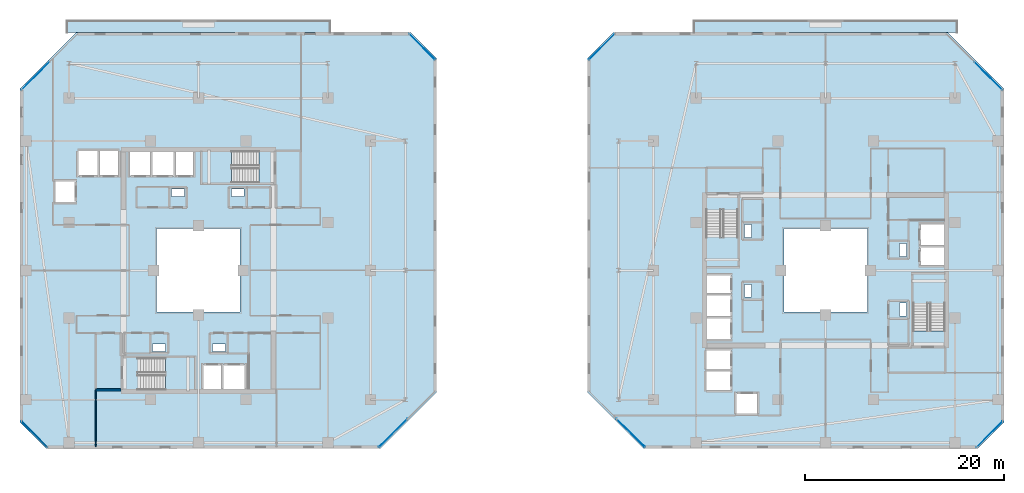
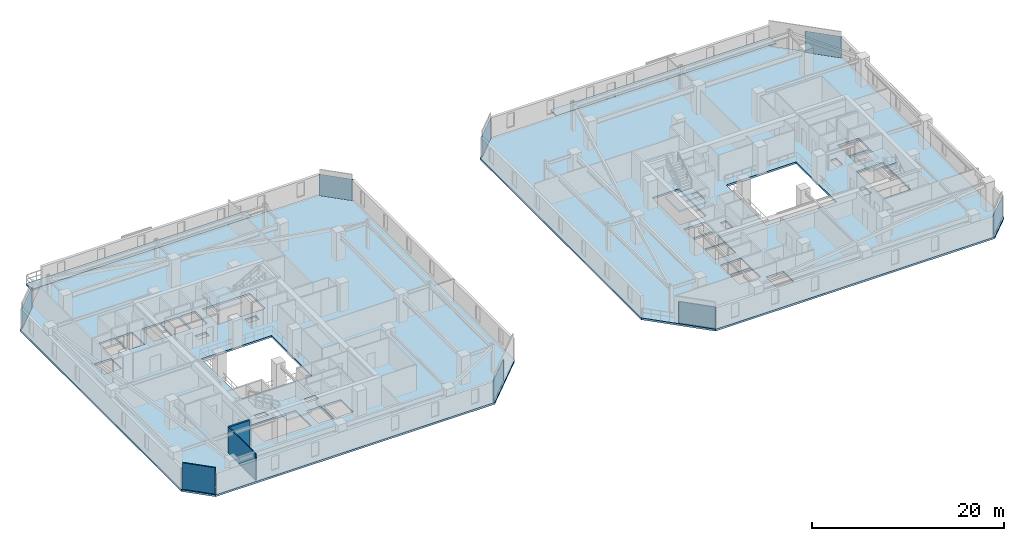
# One storey, part 18 of 32: 8 plates, 8 slabs, 3 walls, 12 elements without a shape of their own.
"""IFC4 building model written with IfcOpenShell, lengths in metres."""

from ifc_helpers import new_model, si_unit, direction, frame, frame_2d, origin, origin_2d, place, context, subcontext, project, spatial, polyline, rectangle, outline, extrude, material, layer, layer_set, type_object, element, aggregate, save


model = new_model("IFC4")

# Units and contexts
model_context = context("Model", 3, precision=1e-05, world=origin(), true_north=direction((0.0, 1.0)))
body_context = subcontext(model_context, "Body", "Model", "MODEL_VIEW")
ifc_project = project(units=[si_unit("LENGTHUNIT", "METRE"), si_unit("AREAUNIT", "SQUARE_METRE"), si_unit("VOLUMEUNIT", "CUBIC_METRE"), si_unit("PLANEANGLEUNIT", "RADIAN"), si_unit("MASSUNIT", "GRAM", prefix="KILO")], contexts=[model_context])

# Site, building, storey
site_placement = place(None, origin())
site = spatial("IfcSite", under=ifc_project, at=site_placement, CompositionType="ELEMENT")
building_placement = place(site_placement, origin())
building = spatial("IfcBuilding", under=site, at=building_placement, Name="Thornwick Lancets Civic Towers", CompositionType="ELEMENT")
storey_placement = place(building_placement, frame((0.0, 0.0, 182.10009765625)))
storey = spatial("IfcBuildingStorey", under=building, at=storey_placement, Name="L48", CompositionType="ELEMENT", Elevation=182.10009765625)

# Curtain wall, plate
ifc_material_1 = material(Name="Mid-zone chamfered-corner unitised glass curtain wall", Category="glass")
curtain_wall_type = type_object("IfcCurtainWallType", Name="CW_SYS_04", PredefinedType="NOTDEFINED", material=ifc_material_1)
curtain_wall_1_placement = place(storey_placement, origin())
curtain_wall_1 = element("IfcCurtainWall", 1, at=curtain_wall_1_placement, inside=storey, type_object=curtain_wall_type, Name="L48 Curtain Wall CW-L48-A-E1", PredefinedType="NOTDEFINED")
ifc_material_2 = material(Name="Low-e double glazing clear glass", Category="glass")
ifc_layer_1 = layer(ifc_material_2, 0.035888671875, Name="Low-e double glazing clear glass")
ifc_layer_set_1 = layer_set([ifc_layer_1], Name="Low-e double glazing clear glass")
plate_type = type_object("IfcPlateType", Name="CW_PNL_GLASS", PredefinedType="CURTAIN_PANEL", material=ifc_layer_set_1)
plate_1_placement = place(storey_placement, frame((45.0576171875, 10.655029296875, 0.0), z_axis=(0.0, 0.0, 1.0), x_axis=(0.707106781187, 0.707106781187, 0.0)))
plate_1 = element("IfcPlate", 2, at=plate_1_placement, type_object=plate_type, Name="CW-L48-A-E1 Panel 0", PredefinedType="CURTAIN_PANEL", context=body_context, shape_type="SweptSolid", body=[
    extrude(rectangle(XDim=3.9833984375, YDim=0.035888671875, at=origin_2d()), origin(), (0.0, 0.0, 1.0), 2.699951171875),
])
aggregate(curtain_wall_1, [plate_1])

curtain_wall_2_placement = place(storey_placement, origin())
curtain_wall_2 = element("IfcCurtainWall", 3, at=curtain_wall_2_placement, inside=storey, type_object=curtain_wall_type, Name="L48 Curtain Wall CW-L48-A-E3", PredefinedType="NOTDEFINED")
plate_2_placement = place(storey_placement, frame((47.972900390625, 49.472900390625, 0.0), z_axis=(0.0, 0.0, 1.0), x_axis=(-0.707106781187, 0.707106781187, 0.0)))
plate_2 = element("IfcPlate", 4, at=plate_2_placement, type_object=plate_type, Name="CW-L48-A-E3 Panel 0", PredefinedType="CURTAIN_PANEL", context=body_context, shape_type="SweptSolid", body=[
    extrude(rectangle(XDim=3.649169921875, YDim=0.035888671875, at=origin_2d()), origin(), (0.0, 0.0, 1.0), 2.699951171875),
])
aggregate(curtain_wall_2, [plate_2])

curtain_wall_3_placement = place(storey_placement, origin())
curtain_wall_3 = element("IfcCurtainWall", 5, at=curtain_wall_3_placement, inside=storey, type_object=curtain_wall_type, Name="L48 Curtain Wall CW-L48-A-E5", PredefinedType="NOTDEFINED")
plate_3_placement = place(storey_placement, frame((9.155029296875, 46.5576171875, 0.0), z_axis=(0.0, 0.0, 1.0), x_axis=(-0.707106781187, -0.707106781187, 0.0)))
plate_3 = element("IfcPlate", 6, at=plate_3_placement, type_object=plate_type, Name="CW-L48-A-E5 Panel 0", PredefinedType="CURTAIN_PANEL", context=body_context, shape_type="SweptSolid", body=[
    extrude(rectangle(XDim=3.9833984375, YDim=0.035888671875, at=origin_2d()), origin(), (0.0, 0.0, 1.0), 2.699951171875),
])
aggregate(curtain_wall_3, [plate_3])

curtain_wall_4_placement = place(storey_placement, origin())
curtain_wall_4 = element("IfcCurtainWall", 7, at=curtain_wall_4_placement, inside=storey, type_object=curtain_wall_type, Name="L48 Curtain Wall CW-L48-A-E7", PredefinedType="NOTDEFINED")
plate_4_placement = place(storey_placement, frame((9.027099609375, 10.527099609375, 0.0), z_axis=(0.0, 0.0, 1.0), x_axis=(0.707106781187, -0.707106781187, 0.0)))
plate_4 = element("IfcPlate", 8, at=plate_4_placement, type_object=plate_type, Name="CW-L48-A-E7 Panel 0", PredefinedType="CURTAIN_PANEL", context=body_context, shape_type="SweptSolid", body=[
    extrude(rectangle(XDim=3.649169921875, YDim=0.035888671875, at=origin_2d()), origin(), (0.0, 0.0, 1.0), 2.699951171875),
])
aggregate(curtain_wall_4, [plate_4])

curtain_wall_5_placement = place(storey_placement, origin())
curtain_wall_5 = element("IfcCurtainWall", 9, at=curtain_wall_5_placement, inside=storey, type_object=curtain_wall_type, Name="L48 Curtain Wall CW-L48-B-E1", PredefinedType="NOTDEFINED")
plate_5_placement = place(storey_placement, frame((104.972900390625, 10.527099609375, 0.0), z_axis=(0.0, 0.0, 1.0), x_axis=(0.707106781187, 0.707106781187, 0.0)))
plate_5 = element("IfcPlate", 10, at=plate_5_placement, type_object=plate_type, Name="CW-L48-B-E1 Panel 0", PredefinedType="CURTAIN_PANEL", context=body_context, shape_type="SweptSolid", body=[
    extrude(rectangle(XDim=3.649169921875, YDim=0.035888671875, at=origin_2d()), origin(), (0.0, 0.0, 1.0), 2.699951171875),
])
aggregate(curtain_wall_5, [plate_5])

curtain_wall_6_placement = place(storey_placement, origin())
curtain_wall_6 = element("IfcCurtainWall", 11, at=curtain_wall_6_placement, inside=storey, type_object=curtain_wall_type, Name="L48 Curtain Wall CW-L48-B-E3", PredefinedType="NOTDEFINED")
plate_6_placement = place(storey_placement, frame((104.844970703125, 46.5576171875, 0.0), z_axis=(0.0, 0.0, 1.0), x_axis=(-0.707106781187, 0.707106781187, 0.0)))
plate_6 = element("IfcPlate", 12, at=plate_6_placement, type_object=plate_type, Name="CW-L48-B-E3 Panel 0", PredefinedType="CURTAIN_PANEL", context=body_context, shape_type="SweptSolid", body=[
    extrude(rectangle(XDim=3.9833984375, YDim=0.035888671875, at=origin_2d()), origin(), (0.0, 0.0, 1.0), 2.699951171875),
])
aggregate(curtain_wall_6, [plate_6])

curtain_wall_7_placement = place(storey_placement, origin())
curtain_wall_7 = element("IfcCurtainWall", 13, at=curtain_wall_7_placement, inside=storey, type_object=curtain_wall_type, Name="L48 Curtain Wall CW-L48-B-E5", PredefinedType="NOTDEFINED")
plate_7_placement = place(storey_placement, frame((66.027099609375, 49.472900390625, 0.0), z_axis=(0.0, 0.0, 1.0), x_axis=(-0.707106781187, -0.707106781187, 0.0)))
plate_7 = element("IfcPlate", 14, at=plate_7_placement, type_object=plate_type, Name="CW-L48-B-E5 Panel 0", PredefinedType="CURTAIN_PANEL", context=body_context, shape_type="SweptSolid", body=[
    extrude(rectangle(XDim=3.649169921875, YDim=0.035888671875, at=origin_2d()), origin(), (0.0, 0.0, 1.0), 2.699951171875),
])
aggregate(curtain_wall_7, [plate_7])

curtain_wall_8_placement = place(storey_placement, origin())
curtain_wall_8 = element("IfcCurtainWall", 15, at=curtain_wall_8_placement, inside=storey, type_object=curtain_wall_type, Name="L48 Curtain Wall CW-L48-B-E7", PredefinedType="NOTDEFINED")
plate_8_placement = place(storey_placement, frame((68.9423828125, 10.655029296875, 0.0), z_axis=(0.0, 0.0, 1.0), x_axis=(0.707106781187, -0.707106781187, 0.0)))
plate_8 = element("IfcPlate", 16, at=plate_8_placement, type_object=plate_type, Name="CW-L48-B-E7 Panel 0", PredefinedType="CURTAIN_PANEL", context=body_context, shape_type="SweptSolid", body=[
    extrude(rectangle(XDim=3.9833984375, YDim=0.035888671875, at=origin_2d()), origin(), (0.0, 0.0, 1.0), 2.699951171875),
])
aggregate(curtain_wall_8, [plate_8])

# Slabs
ifc_material_3 = material(Name="Post-tensioned concrete C40/50", Category="concrete")
ifc_layer_2 = layer(ifc_material_3, 0.199951171875, Name="Post-tensioned concrete C40/50")
ifc_layer_set_2 = layer_set([ifc_layer_2], Name="Post-tensioned concrete C40/50")
slab_type_1 = type_object("IfcSlabType", Name="SLAB_BALCONY_200", PredefinedType="FLOOR", material=ifc_layer_set_2)
slab_1_placement = place(storey_placement, frame((0.0, 0.0, -0.2001953125)))
element("IfcSlab", 17, at=slab_1_placement, inside=storey, type_object=slab_type_1, Name="L48 Tower A Planted Balcony Slab N", PredefinedType="FLOOR", context=body_context, shape_type="SweptSolid", body=[
    extrude(outline(polyline([(12.300048828125, 50.89990234375), (38.699951171875, 50.89990234375), (38.699951171875, 52.14990234375), (12.300048828125, 52.14990234375), (12.300048828125, 50.89990234375)])), origin(), (0.0, 0.0, 1.0), 0.2001953125),
])
slab_2_placement = place(storey_placement, frame((0.0, 0.0, -0.2001953125)))
element("IfcSlab", 18, at=slab_2_placement, inside=storey, type_object=slab_type_1, Name="L48 Tower B Planted Balcony Slab N", PredefinedType="FLOOR", context=body_context, shape_type="SweptSolid", body=[
    extrude(outline(polyline([(75.300048828125, 50.89990234375), (101.699951171875, 50.89990234375), (101.699951171875, 52.14990234375), (75.300048828125, 52.14990234375), (75.300048828125, 50.89990234375)])), origin(), (0.0, 0.0, 1.0), 0.2001953125),
])

# Stair, slab
ifc_material_4 = material(Name="Concrete C40/50", Category="concrete")
stair_type = type_object("IfcStairType", Name="STAIR_DL_3600", PredefinedType="HALF_TURN_STAIR", material=ifc_material_4)
stair_1_placement = place(storey_placement, origin())
stair_1 = element("IfcStair", 19, at=stair_1_placement, inside=storey, type_object=stair_type, Name="L48 Tower A South Exit Stair ST-A1", PredefinedType="HALF_TURN_STAIR")
ifc_layer_3 = layer(ifc_material_4, 0.25, Name="Concrete C40/50")
ifc_layer_set_3 = layer_set([ifc_layer_3], Name="Concrete C40/50")
slab_type_2 = type_object("IfcSlabType", Name="SLAB_LANDING_200", PredefinedType="LANDING", material=ifc_layer_set_3)
slab_3_placement = place(storey_placement, frame((0.0, 0.0, 1.602783203125)))
slab_3 = element("IfcSlab", 20, at=slab_3_placement, type_object=slab_type_2, Name="ST-A1 landing 1", PredefinedType="LANDING", context=body_context, shape_type="SweptSolid", body=[
    extrude(outline(polyline([(22.169921875, 14.93994140625), (25.14990234375, 14.93994140625), (25.14990234375, 18.260009765625), (22.169921875, 18.260009765625), (22.169921875, 14.93994140625)])), origin(), (0.0, 0.0, 1.0), 0.2001953125),
])
aggregate(stair_1, [slab_3])

stair_2_placement = place(storey_placement, origin())
stair_2 = element("IfcStair", 21, at=stair_2_placement, inside=storey, type_object=stair_type, Name="L48 Tower A North Exit Stair ST-A2", PredefinedType="HALF_TURN_STAIR")
slab_4_placement = place(storey_placement, frame((0.0, 0.0, 1.602783203125)))
slab_4 = element("IfcSlab", 22, at=slab_4_placement, type_object=slab_type_2, Name="ST-A2 landing 1", PredefinedType="LANDING", context=body_context, shape_type="SweptSolid", body=[
    extrude(outline(polyline([(28.830078125, 39.06005859375), (25.85009765625, 39.06005859375), (25.85009765625, 35.739990234375), (28.830078125, 35.739990234375), (28.830078125, 39.06005859375)])), origin(), (0.0, 0.0, 1.0), 0.2001953125),
])
aggregate(stair_2, [slab_4])

stair_3_placement = place(storey_placement, origin())
stair_3 = element("IfcStair", 23, at=stair_3_placement, inside=storey, type_object=stair_type, Name="L48 Tower B East Exit Stair ST-B1", PredefinedType="HALF_TURN_STAIR")
slab_5_placement = place(storey_placement, frame((0.0, 0.0, 1.602783203125)))
slab_5 = element("IfcSlab", 24, at=slab_5_placement, type_object=slab_type_2, Name="ST-B1 landing 1", PredefinedType="LANDING", context=body_context, shape_type="SweptSolid", body=[
    extrude(outline(polyline([(100.56005859375, 23.669921875), (100.56005859375, 26.64990234375), (97.239990234375, 26.64990234375), (97.239990234375, 23.669921875), (100.56005859375, 23.669921875)])), origin(), (0.0, 0.0, 1.0), 0.2001953125),
])
aggregate(stair_3, [slab_5])

stair_4_placement = place(storey_placement, origin())
stair_4 = element("IfcStair", 25, at=stair_4_placement, inside=storey, type_object=stair_type, Name="L48 Tower B West Exit Stair ST-B2", PredefinedType="HALF_TURN_STAIR")
slab_6_placement = place(storey_placement, frame((0.0, 0.0, 1.602783203125)))
slab_6 = element("IfcSlab", 26, at=slab_6_placement, type_object=slab_type_2, Name="ST-B2 landing 1", PredefinedType="LANDING", context=body_context, shape_type="SweptSolid", body=[
    extrude(outline(polyline([(76.43994140625, 30.330078125), (76.43994140625, 27.35009765625), (79.760009765625, 27.35009765625), (79.760009765625, 30.330078125), (76.43994140625, 30.330078125)])), origin(), (0.0, 0.0, 1.0), 0.2001953125),
])
aggregate(stair_4, [slab_6])

# Slabs
ifc_layer_4 = layer(ifc_material_3, 0.239990234375, Name="Post-tensioned concrete C40/50")
ifc_layer_set_4 = layer_set([ifc_layer_4], Name="Post-tensioned concrete C40/50")
slab_type_3 = type_object("IfcSlabType", Name="SLAB_PT_240", PredefinedType="FLOOR", material=ifc_layer_set_4)
slab_7_placement = place(storey_placement, frame((0.0, 0.0, -0.239990234375)))
element("IfcSlab", 27, at=slab_7_placement, inside=storey, type_object=slab_type_3, Name="L48 Tower A Floor Slab", PredefinedType="FLOOR", context=body_context, shape_type="SweptSolid", body=[
    extrude(outline(polyline([(10.199951171875, 9.10009765625), (43.75390625, 9.10009765625), (49.39990234375, 14.74609375), (49.39990234375, 48.300048828125), (46.800048828125, 50.89990234375), (13.24609375, 50.89990234375), (7.60009765625, 45.25390625), (7.60009765625, 11.699951171875), (10.199951171875, 9.10009765625)]), holes=[polyline([(21.300048828125, 22.800048828125), (29.699951171875, 22.800048828125), (29.699951171875, 31.199951171875), (21.300048828125, 31.199951171875), (21.300048828125, 22.800048828125)]), polyline([(19.429931640625, 15.0), (25.10009765625, 15.0), (25.10009765625, 18.199951171875), (19.429931640625, 18.199951171875), (19.429931640625, 15.0)]), polyline([(31.570068359375, 39.0), (25.89990234375, 39.0), (25.89990234375, 35.800048828125), (31.570068359375, 35.800048828125), (31.570068359375, 39.0)]), polyline([(26.0, 15.0), (27.800048828125, 15.0), (27.800048828125, 17.550048828125), (26.0, 17.550048828125), (26.0, 15.0)]), polyline([(28.0, 15.0), (30.14990234375, 15.0), (30.14990234375, 17.550048828125), (28.0, 17.550048828125), (28.0, 15.0)]), polyline([(23.199951171875, 36.449951171875), (25.0, 36.449951171875), (25.0, 39.0), (23.199951171875, 39.0), (23.199951171875, 36.449951171875)]), polyline([(20.85009765625, 36.449951171875), (23.0, 36.449951171875), (23.0, 39.0), (20.85009765625, 39.0), (20.85009765625, 36.449951171875)]), polyline([(18.60009765625, 36.449951171875), (20.699951171875, 36.449951171875), (20.699951171875, 39.0), (18.60009765625, 39.0), (18.60009765625, 36.449951171875)]), polyline([(15.550048828125, 36.449951171875), (17.449951171875, 36.449951171875), (17.449951171875, 39.0), (15.550048828125, 39.0), (15.550048828125, 36.449951171875)]), polyline([(13.449951171875, 36.449951171875), (15.39990234375, 36.449951171875), (15.39990234375, 39.0), (13.449951171875, 39.0), (13.449951171875, 36.449951171875)]), polyline([(11.10009765625, 33.85009765625), (13.199951171875, 33.85009765625), (13.199951171875, 35.949951171875), (11.10009765625, 35.949951171875), (11.10009765625, 33.85009765625)]), polyline([(26.89990234375, 18.85009765625), (28.199951171875, 18.85009765625), (28.199951171875, 19.580078125), (26.89990234375, 19.580078125), (26.89990234375, 18.85009765625)]), polyline([(20.89990234375, 18.85009765625), (22.199951171875, 18.85009765625), (22.199951171875, 19.580078125), (20.89990234375, 19.580078125), (20.89990234375, 18.85009765625)]), polyline([(22.800048828125, 34.419921875), (24.10009765625, 34.419921875), (24.10009765625, 35.14990234375), (22.800048828125, 35.14990234375), (22.800048828125, 34.419921875)]), polyline([(28.800048828125, 34.419921875), (30.10009765625, 34.419921875), (30.10009765625, 35.14990234375), (28.800048828125, 35.14990234375), (28.800048828125, 34.419921875)])]), origin(), (0.0, 0.0, 1.0), 0.239990234375),
])
slab_8_placement = place(storey_placement, frame((0.0, 0.0, -0.239990234375)))
element("IfcSlab", 28, at=slab_8_placement, inside=storey, type_object=slab_type_3, Name="L48 Tower B Floor Slab", PredefinedType="FLOOR", context=body_context, shape_type="SweptSolid", body=[
    extrude(outline(polyline([(70.24609375, 9.10009765625), (103.800048828125, 9.10009765625), (106.39990234375, 11.699951171875), (106.39990234375, 45.25390625), (100.75390625, 50.89990234375), (67.199951171875, 50.89990234375), (64.60009765625, 48.300048828125), (64.60009765625, 14.74609375), (70.24609375, 9.10009765625)]), holes=[polyline([(84.300048828125, 22.800048828125), (92.699951171875, 22.800048828125), (92.699951171875, 31.199951171875), (84.300048828125, 31.199951171875), (84.300048828125, 22.800048828125)]), polyline([(100.5, 20.929931640625), (100.5, 26.60009765625), (97.300048828125, 26.60009765625), (97.300048828125, 20.929931640625), (100.5, 20.929931640625)]), polyline([(76.5, 33.070068359375), (76.5, 27.39990234375), (79.699951171875, 27.39990234375), (79.699951171875, 33.070068359375), (76.5, 33.070068359375)]), polyline([(97.949951171875, 27.5), (100.5, 27.5), (100.5, 29.300048828125), (97.949951171875, 29.300048828125), (97.949951171875, 27.5)]), polyline([(97.949951171875, 29.5), (100.5, 29.5), (100.5, 31.64990234375), (97.949951171875, 31.64990234375), (97.949951171875, 29.5)]), polyline([(76.5, 24.699951171875), (79.050048828125, 24.699951171875), (79.050048828125, 26.5), (76.5, 26.5), (76.5, 24.699951171875)]), polyline([(76.5, 22.35009765625), (79.050048828125, 22.35009765625), (79.050048828125, 24.5), (76.5, 24.5), (76.5, 22.35009765625)]), polyline([(76.5, 20.10009765625), (79.050048828125, 20.10009765625), (79.050048828125, 22.199951171875), (76.5, 22.199951171875), (76.5, 20.10009765625)]), polyline([(76.5, 17.050048828125), (79.050048828125, 17.050048828125), (79.050048828125, 18.949951171875), (76.5, 18.949951171875), (76.5, 17.050048828125)]), polyline([(76.5, 14.949951171875), (79.050048828125, 14.949951171875), (79.050048828125, 16.89990234375), (76.5, 16.89990234375), (76.5, 14.949951171875)]), polyline([(79.550048828125, 12.60009765625), (81.64990234375, 12.60009765625), (81.64990234375, 14.699951171875), (79.550048828125, 14.699951171875), (79.550048828125, 12.60009765625)]), polyline([(95.919921875, 28.39990234375), (96.64990234375, 28.39990234375), (96.64990234375, 29.699951171875), (95.919921875, 29.699951171875), (95.919921875, 28.39990234375)]), polyline([(95.919921875, 22.39990234375), (96.64990234375, 22.39990234375), (96.64990234375, 23.699951171875), (95.919921875, 23.699951171875), (95.919921875, 22.39990234375)]), polyline([(80.35009765625, 24.300048828125), (81.080078125, 24.300048828125), (81.080078125, 25.60009765625), (80.35009765625, 25.60009765625), (80.35009765625, 24.300048828125)]), polyline([(80.35009765625, 30.300048828125), (81.080078125, 30.300048828125), (81.080078125, 31.60009765625), (80.35009765625, 31.60009765625), (80.35009765625, 30.300048828125)])]), origin(), (0.0, 0.0, 1.0), 0.239990234375),
])

# Walls
ifc_material_5 = material(Name="Concrete blockwork C40/50", Category="masonry")
ifc_layer_5 = layer(ifc_material_5, 0.199951171875, Name="Concrete blockwork C40/50")
ifc_layer_set_5 = layer_set([ifc_layer_5], Name="Concrete blockwork C40/50")
wall_type_1 = type_object("IfcWallType", Name="WALL_COMP_200", PredefinedType="STANDARD", material=ifc_layer_set_5)
wall_1_placement = place(storey_placement, frame((15.199951171875, 15.0, 0.0), z_axis=(0.0, 0.0, 1.0), x_axis=(1.0, 0.0, 0.0)))
element("IfcWall", 29, at=wall_1_placement, inside=storey, type_object=wall_type_1, Name="L48 Partition L48-A-FFLOB1 E1", PredefinedType="STANDARD", context=body_context, shape_type="SweptSolid", body=[
    extrude(rectangle(XDim=2.5, YDim=0.199951171875, at=frame_2d((1.25, 0.0))), origin(), (0.0, 0.0, 1.0), 3.33984375),
])
ifc_material_6 = material(Name="Acoustic gypsum board partition")
ifc_layer_6 = layer(ifc_material_6, 0.1201171875, Name="Acoustic gypsum board partition")
ifc_layer_set_6 = layer_set([ifc_layer_6], Name="Acoustic gypsum board partition")
wall_type_2 = type_object("IfcWallType", Name="WALL_PART_120", PredefinedType="PARTITIONING", material=ifc_layer_set_6)
wall_2_placement = place(storey_placement, frame((15.199951171875, 15.0, 0.0), z_axis=(0.0, 0.0, 1.0), x_axis=(0.0, -1.0, 0.0)))
element("IfcWall", 30, at=wall_2_placement, inside=storey, type_object=wall_type_2, Name="L48 Partition L48-A-W1 E8", PredefinedType="PARTITIONING", context=body_context, shape_type="SweptSolid", body=[
    extrude(rectangle(XDim=5.719970703125, YDim=0.1201171875, at=frame_2d((2.85986328125, 0.0))), origin(), (0.0, 0.0, 1.0), 3.33984375),
])
wall_3_placement = place(storey_placement, frame((10.274658203125, 9.280029296875, 0.0), z_axis=(0.0, 0.0, 1.0), x_axis=(-0.707106781187, 0.707106781187, 0.0)))
element("IfcWall", 31, at=wall_3_placement, inside=storey, type_object=wall_type_2, Name="L48 Partition L48-A-W1 E10", PredefinedType="PARTITIONING", context=body_context, shape_type="SweptSolid", body=[
    extrude(rectangle(XDim=3.52783203125, YDim=0.1201171875, at=frame_2d((1.763916015625, 0.0))), origin(), (0.0, 0.0, 1.0), 3.33984375),
])

save(model, "model.ifc")
